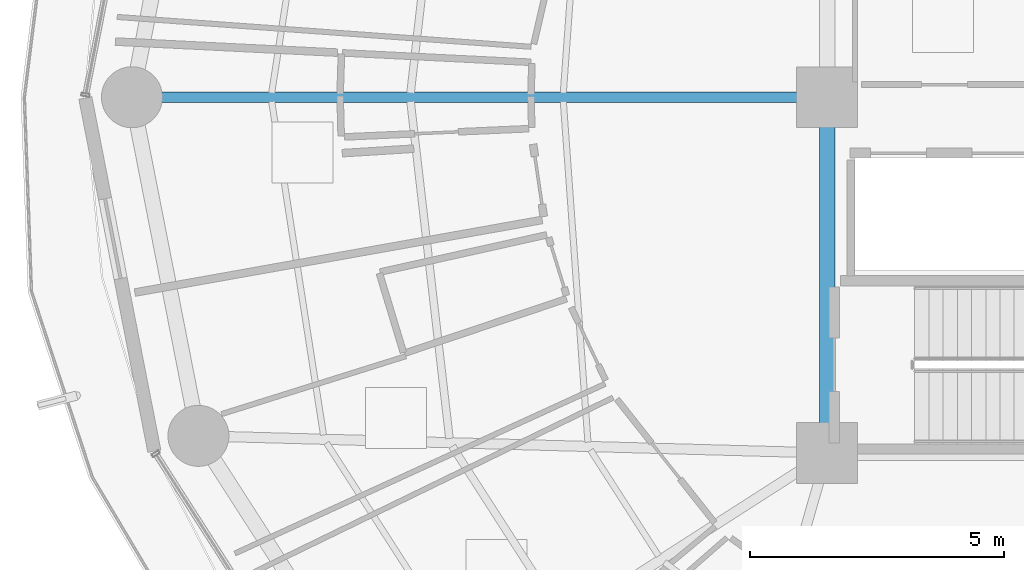
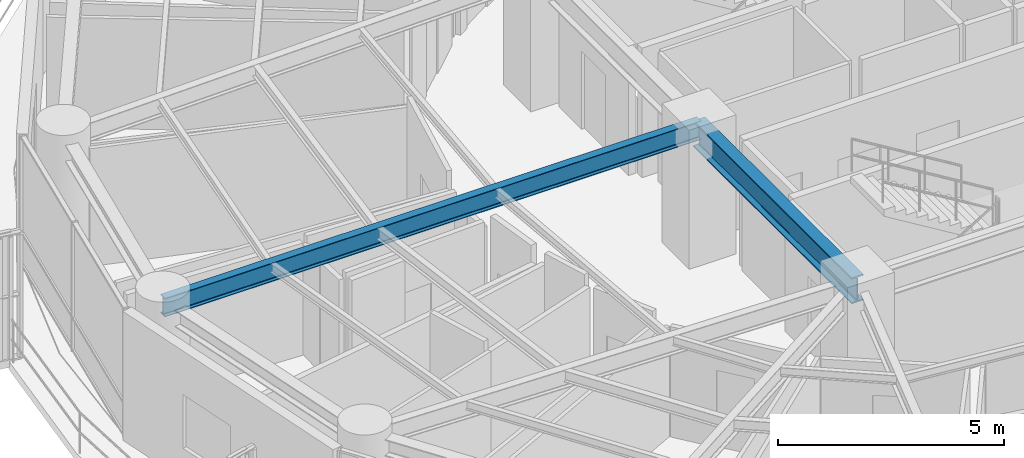
# One storey, part 7 of 28: 2 beams.
"""IFC4 building model written with IfcOpenShell, lengths in metres."""

from ifc_helpers import new_model, si_unit, direction, frame, origin, origin_2d, place, context, subcontext, project, spatial, i_section, extrude, material, material_profile, profile_set, type_object, element, save


model = new_model("IFC4")

# Units and contexts
model_context = context("Model", 3, precision=1e-05, world=origin(), true_north=direction((0.0, 1.0)))
body_context = subcontext(model_context, "Body", "Model", "MODEL_VIEW")
ifc_project = project(units=[si_unit("LENGTHUNIT", "METRE"), si_unit("AREAUNIT", "SQUARE_METRE"), si_unit("VOLUMEUNIT", "CUBIC_METRE"), si_unit("PLANEANGLEUNIT", "RADIAN"), si_unit("MASSUNIT", "GRAM", prefix="KILO")], contexts=[model_context])

# Site, building, storey
site_placement = place(None, origin())
site = spatial("IfcSite", under=ifc_project, at=site_placement, CompositionType="ELEMENT")
building_placement = place(site_placement, origin())
building = spatial("IfcBuilding", under=site, at=building_placement, Name="Kelanora Arch Commons", CompositionType="ELEMENT")
storey_placement = place(building_placement, frame((0.0, 0.0, 180.60009765625)))
storey = spatial("IfcBuildingStorey", under=building, at=storey_placement, Name="L46", CompositionType="ELEMENT", Elevation=180.60009765625)

# Beams
ifc_material = material(Name="Steel S355", Category="steel")
ifc_material_profile_1 = material_profile(ifc_material, i_section(OverallWidth=0.300048828125, OverallDepth=0.699951171875, WebThickness=0.01708984375, FlangeThickness=0.031982421875, FilletRadius=0.027099609375, at=origin_2d()), Name="HEB700")
ifc_profile_set_1 = profile_set([ifc_material_profile_1], Name="Steel S355")
beam_type_1 = type_object("IfcBeamType", Name="BM-CORE-HDR", PredefinedType="BEAM", material=ifc_profile_set_1)
beam_1_placement = place(storey_placement, frame((66.0, 58.0, 3.139892578125), z_axis=(0.0, -1.0, 0.0), x_axis=(1.0, 0.0, 0.0)))
element("IfcBeam", 1, at=beam_1_placement, inside=storey, type_object=beam_type_1, Name="Core Header Beam 09 L46", PredefinedType="BEAM", context=body_context, shape_type="SweptSolid", body=[
    extrude(i_section(OverallWidth=0.300048828125, OverallDepth=0.699951171875, WebThickness=0.01708984375, FlangeThickness=0.031982421875, FilletRadius=0.027099609375, at=origin_2d()), origin(), (0.0, 0.0, 1.0), 7.0),
])
ifc_material_profile_2 = material_profile(ifc_material, i_section(OverallWidth=0.199951171875, OverallDepth=0.5, WebThickness=0.01025390625, FlangeThickness=0.01611328125, FilletRadius=0.02099609375, at=origin_2d()), Name="IPE500")
ifc_profile_set_2 = profile_set([ifc_material_profile_2], Name="Steel S355")
beam_type_2 = type_object("IfcBeamType", Name="BM-RAD-Z3", PredefinedType="BEAM", material=ifc_profile_set_2)
beam_2_placement = place(storey_placement, frame((66.0, 58.0, 3.239990234375), z_axis=(-1.0, 0.0, 0.0), x_axis=(0.0, -1.0, 0.0)))
element("IfcBeam", 2, at=beam_2_placement, inside=storey, type_object=beam_type_2, Name="Radial Floor Girder BR-18 L46", PredefinedType="BEAM", context=body_context, shape_type="SweptSolid", body=[
    extrude(i_section(OverallWidth=0.199951171875, OverallDepth=0.5, WebThickness=0.01025390625, FlangeThickness=0.01611328125, FilletRadius=0.02099609375, at=origin_2d()), origin(), (0.0, 0.0, 1.0), 13.679931640625),
])

save(model, "model.ifc")
